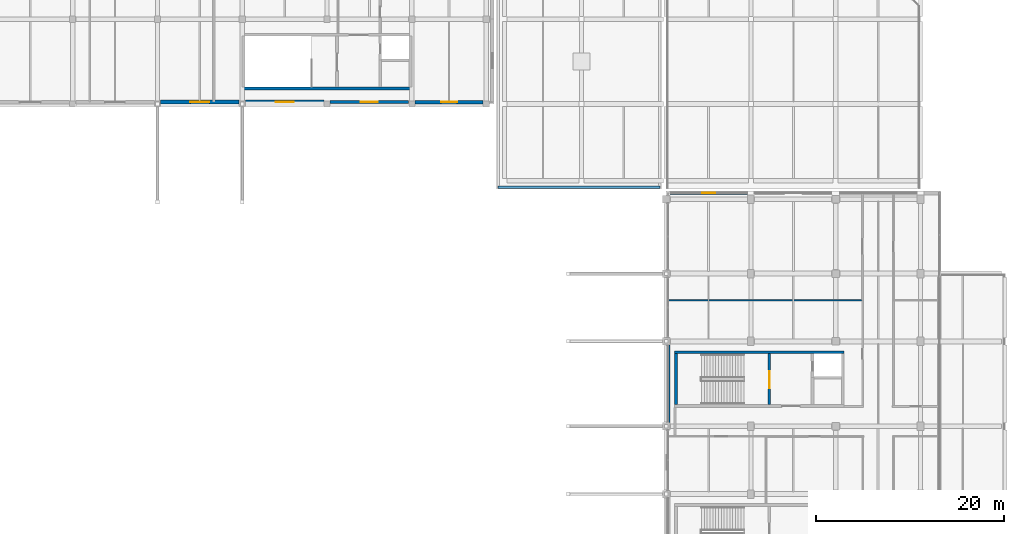
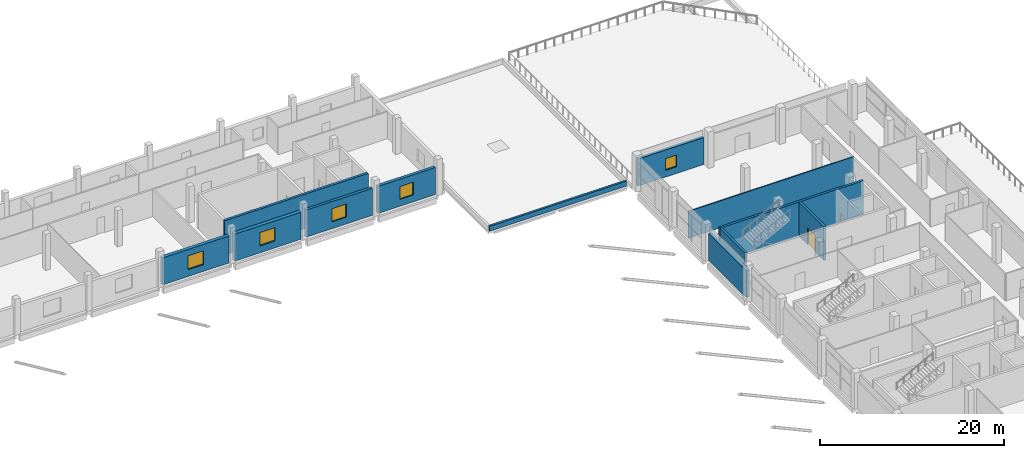
# One storey, part 56 of 82: 12 walls, 5 windows, 1 door, 6 openings.
"""IFC4 building model written with IfcOpenShell, lengths in metres."""

from ifc_helpers import new_model, si_unit, direction, frame, frame_2d, origin, place, context, subcontext, project, spatial, rectangle, extrude, material, layer, layer_set, type_object, element, fill, save


model = new_model("IFC4")

# Units and contexts
model_context = context("Model", 3, precision=1e-05, world=origin(), true_north=direction((0.0, 1.0)))
body_context = subcontext(model_context, "Body", "Model", "MODEL_VIEW")
ifc_project = project(units=[si_unit("LENGTHUNIT", "METRE"), si_unit("AREAUNIT", "SQUARE_METRE"), si_unit("VOLUMEUNIT", "CUBIC_METRE"), si_unit("PLANEANGLEUNIT", "RADIAN"), si_unit("MASSUNIT", "GRAM", prefix="KILO"), si_unit("THERMODYNAMICTEMPERATUREUNIT", "KELVIN"), si_unit("POWERUNIT", "WATT")], contexts=[model_context])

# Site, building, storey
site_placement = place(None, origin())
site = spatial("IfcSite", under=ifc_project, at=site_placement, CompositionType="ELEMENT")
building_placement = place(site_placement, origin())
building = spatial("IfcBuilding", under=site, at=building_placement, Name="Sindhuravela Promenade Stadium", CompositionType="ELEMENT")
storey_placement = place(building_placement, frame((0.0, 0.0, 14.39990234375)))
storey = spatial("IfcBuildingStorey", under=building, at=storey_placement, Name="L03", CompositionType="ELEMENT", Elevation=14.39990234375)

# Wall, opening, window
ifc_material_1 = material(Name="Terracotta clay brick masonry (15 MPa)", Category="masonry")
ifc_layer_1 = layer(ifc_material_1, 0.340087890625)
ifc_layer_set_1 = layer_set([ifc_layer_1], Name="Terracotta clay brick masonry (15 MPa)")
wall_type_1 = type_object("IfcWallType", Name="EX-WL-BRK340", PredefinedType="SOLIDWALL", material=ifc_layer_set_1)
wall_1_placement = place(storey_placement, frame((152.669921875, 135.199951171875, 0.0), z_axis=(0.0, 0.0, 1.0), x_axis=(-1.0, 0.0, 0.0)))
wall_1 = element("IfcWall", 1, at=wall_1_placement, inside=storey, type_object=wall_type_1, Name="Exterior masonry wall EW06 NORTH L03", PredefinedType="SOLIDWALL", context=body_context, shape_type="SweptSolid", body=[
    extrude(rectangle(XDim=8.33984375, YDim=0.340087890625, at=frame_2d((4.169921875, 0.0))), origin(), (0.0, 0.0, 1.0), 3.580078125),
])
opening_1_placement = place(wall_1_placement, frame((3.27001953125, 0.0, 0.89990234375)))
opening_1 = element("IfcOpeningElement", 2, at=opening_1_placement, cuts=wall_1, Name="Opening W08", PredefinedType="OPENING", context=body_context, shape_type="SweptSolid", body=[
    extrude(rectangle(XDim=1.800048828125, YDim=1.75, at=frame_2d((0.89990234375, 0.875))), frame((0.0, 0.179931640625, 0.0), z_axis=(0.0, -1.0, 0.0), x_axis=(1.0, 0.0, 0.0)), (0.0, 0.0, 1.0), 0.360107421875),
])
ifc_material_2 = material(Name="Tempered laminated low-E glass", Category="glass")
window_type_1 = type_object("IfcWindowType", Name="WN-FAC-1800x1750", PartitioningType="DOUBLE_PANEL_VERTICAL", PredefinedType="WINDOW", material=ifc_material_2)
window_1_placement = place(opening_1_placement, origin())
window_1 = element("IfcWindow", 3, at=window_1_placement, inside=storey, type_object=window_type_1, Name="Window W08 NORTH L03", OverallHeight=1.75, OverallWidth=1.800048828125, PartitioningType="DOUBLE_PANEL_VERTICAL", PredefinedType="WINDOW", context=body_context, shape_type="SweptSolid", body=[
    extrude(rectangle(XDim=1.800048828125, YDim=1.75, at=frame_2d((0.89990234375, 0.875))), frame((0.0, 0.030029296875, 0.0), z_axis=(0.0, -1.0, 0.0), x_axis=(1.0, 0.0, 0.0)), (0.0, 0.0, 1.0), 0.06005859375),
])
fill(opening_1, window_1)

ifc_layer_2 = layer(ifc_material_1, 0.360107421875)
ifc_layer_set_2 = layer_set([ifc_layer_2], Name="Terracotta clay brick masonry (15 MPa)")
wall_type_2 = type_object("IfcWallType", Name="EX-WL-BRK360", PredefinedType="SOLIDWALL", material=ifc_layer_set_2)
wall_2_placement = place(storey_placement, frame((180.405029296875, 125.550048828125, 0.0), z_axis=(0.0, 0.0, 1.0), x_axis=(1.0, 0.0, 0.0)))
wall_2 = element("IfcWall", 4, at=wall_2_placement, inside=storey, type_object=wall_type_2, Name="Exterior masonry wall EW05 EAST L03", PredefinedType="SOLIDWALL", context=body_context, shape_type="SweptSolid", body=[
    extrude(rectangle(XDim=8.239990234375, YDim=0.360107421875, at=frame_2d((4.1201171875, 0.0))), origin(), (0.0, 0.0, 1.0), 3.580078125),
])
opening_2_placement = place(wall_2_placement, frame((3.419921875, 0.0, 0.89990234375)))
opening_2 = element("IfcOpeningElement", 5, at=opening_2_placement, cuts=wall_2, Name="Opening W04", PredefinedType="OPENING", context=body_context, shape_type="SweptSolid", body=[
    extrude(rectangle(XDim=1.39990234375, YDim=1.550048828125, at=frame_2d((0.699951171875, 0.77490234375))), frame((0.0, 0.18994140625, 0.0), z_axis=(0.0, -1.0, 0.0), x_axis=(1.0, 0.0, 0.0)), (0.0, 0.0, 1.0), 0.380126953125),
])
window_type_2 = type_object("IfcWindowType", Name="WN-FAC-1400x1550", PartitioningType="SINGLE_PANEL", PredefinedType="WINDOW", material=ifc_material_2)
window_2_placement = place(opening_2_placement, origin())
window_2 = element("IfcWindow", 6, at=window_2_placement, inside=storey, type_object=window_type_2, Name="Window W04 EAST L03", OverallHeight=1.550048828125, OverallWidth=1.39990234375, PartitioningType="SINGLE_PANEL", PredefinedType="WINDOW", context=body_context, shape_type="SweptSolid", body=[
    extrude(rectangle(XDim=1.39990234375, YDim=1.550048828125, at=frame_2d((0.699951171875, 0.77490234375))), frame((0.0, 0.030029296875, 0.0), z_axis=(0.0, -1.0, 0.0), x_axis=(1.0, 0.0, 0.0)), (0.0, 0.0, 1.0), 0.06005859375),
])
fill(opening_2, window_2)

wall_3_placement = place(storey_placement, frame((160.570068359375, 135.199951171875, 0.0), z_axis=(0.0, 0.0, 1.0), x_axis=(-1.0, 0.0, 0.0)))
wall_3 = element("IfcWall", 7, at=wall_3_placement, inside=storey, type_object=wall_type_2, Name="Exterior masonry wall EW05 NORTH L03", PredefinedType="SOLIDWALL", context=body_context, shape_type="SweptSolid", body=[
    extrude(rectangle(XDim=7.239990234375, YDim=0.360107421875, at=frame_2d((3.6201171875, 0.0))), origin(), (0.0, 0.0, 1.0), 3.580078125),
])
opening_3_placement = place(wall_3_placement, frame((2.77001953125, 0.0, 0.89990234375)))
opening_3 = element("IfcOpeningElement", 8, at=opening_3_placement, cuts=wall_3, Name="Opening W07", PredefinedType="OPENING", context=body_context, shape_type="SweptSolid", body=[
    extrude(rectangle(XDim=1.699951171875, YDim=1.699951171875, at=frame_2d((0.85009765625, 0.85009765625))), frame((0.0, 0.18994140625, 0.0), z_axis=(0.0, -1.0, 0.0), x_axis=(1.0, 0.0, 0.0)), (0.0, 0.0, 1.0), 0.380126953125),
])
window_type_3 = type_object("IfcWindowType", Name="WN-FAC-1700x1700", PartitioningType="SINGLE_PANEL", PredefinedType="WINDOW", material=ifc_material_2)
window_3_placement = place(opening_3_placement, origin())
window_3 = element("IfcWindow", 9, at=window_3_placement, inside=storey, type_object=window_type_3, Name="Window W07 NORTH L03", OverallHeight=1.699951171875, OverallWidth=1.699951171875, PartitioningType="SINGLE_PANEL", PredefinedType="WINDOW", context=body_context, shape_type="SweptSolid", body=[
    extrude(rectangle(XDim=1.699951171875, YDim=1.699951171875, at=frame_2d((0.85009765625, 0.85009765625))), frame((0.0, 0.030029296875, 0.0), z_axis=(0.0, -1.0, 0.0), x_axis=(1.0, 0.0, 0.0)), (0.0, 0.0, 1.0), 0.06005859375),
])
fill(opening_3, window_3)

# Wall
ifc_layer_3 = layer(ifc_material_1, 0.3798828125)
ifc_layer_set_3 = layer_set([ifc_layer_3], Name="Terracotta clay brick masonry (15 MPa)")
wall_type_3 = type_object("IfcWallType", Name="EX-WL-BRK380", PredefinedType="SOLIDWALL", material=ifc_layer_set_3)
wall_4_placement = place(storey_placement, frame((180.199951171875, 101.205078125, 0.0), z_axis=(0.0, 0.0, 1.0), x_axis=(0.0, 1.0, 0.0)))
element("IfcWall", 10, at=wall_4_placement, inside=storey, type_object=wall_type_3, Name="Exterior masonry wall EW04 EAST L03", PredefinedType="SOLIDWALL", context=body_context, shape_type="SweptSolid", body=[
    extrude(rectangle(XDim=8.18994140625, YDim=0.3798828125, at=frame_2d((4.094970703125, 0.0))), origin(), (0.0, 0.0, 1.0), 3.580078125),
])

# Wall, opening, window
ifc_layer_4 = layer(ifc_material_1, 0.419921875)
ifc_layer_set_4 = layer_set([ifc_layer_4], Name="Terracotta clay brick masonry (15 MPa)")
wall_type_4 = type_object("IfcWallType", Name="EX-WL-BRK420", PredefinedType="SOLIDWALL", material=ifc_layer_set_4)
wall_5_placement = place(storey_placement, frame((134.669921875, 135.199951171875, 0.0), z_axis=(0.0, 0.0, 1.0), x_axis=(-1.0, 0.0, 0.0)))
wall_5 = element("IfcWall", 11, at=wall_5_placement, inside=storey, type_object=wall_type_4, Name="Exterior masonry wall EW02 NORTH L03", PredefinedType="SOLIDWALL", context=body_context, shape_type="SweptSolid", body=[
    extrude(rectangle(XDim=8.33984375, YDim=0.419921875, at=frame_2d((4.169921875, 0.0))), origin(), (0.0, 0.0, 1.0), 3.580078125),
])
opening_4_placement = place(wall_5_placement, frame((3.169921875, 0.0, 0.89990234375)))
opening_4 = element("IfcOpeningElement", 12, at=opening_4_placement, cuts=wall_5, Name="Opening W10", PredefinedType="OPENING", context=body_context, shape_type="SweptSolid", body=[
    extrude(rectangle(XDim=2.0, YDim=1.85009765625, at=frame_2d((1.0, 0.925048828125))), frame((0.0, 0.219970703125, 0.0), z_axis=(0.0, -1.0, 0.0), x_axis=(1.0, 0.0, 0.0)), (0.0, 0.0, 1.0), 0.43994140625),
])
window_type_4 = type_object("IfcWindowType", Name="WN-FAC-2000x1850", PartitioningType="DOUBLE_PANEL_VERTICAL", PredefinedType="WINDOW", material=ifc_material_2)
window_4_placement = place(opening_4_placement, origin())
window_4 = element("IfcWindow", 13, at=window_4_placement, inside=storey, type_object=window_type_4, Name="Window W10 NORTH L03", OverallHeight=1.85009765625, OverallWidth=2.0, PartitioningType="DOUBLE_PANEL_VERTICAL", PredefinedType="WINDOW", context=body_context, shape_type="SweptSolid", body=[
    extrude(rectangle(XDim=2.0, YDim=1.85009765625, at=frame_2d((1.0, 0.925048828125))), frame((0.0, 0.030029296875, 0.0), z_axis=(0.0, -1.0, 0.0), x_axis=(1.0, 0.0, 0.0)), (0.0, 0.0, 1.0), 0.06005859375),
])
fill(opening_4, window_4)

ifc_layer_5 = layer(ifc_material_1, 0.4599609375)
ifc_layer_set_5 = layer_set([ifc_layer_5], Name="Terracotta clay brick masonry (15 MPa)")
wall_type_5 = type_object("IfcWallType", Name="EX-WL-BRK460", PredefinedType="SOLIDWALL", material=ifc_layer_set_5)
wall_6_placement = place(storey_placement, frame((143.669921875, 135.199951171875, 0.0), z_axis=(0.0, 0.0, 1.0), x_axis=(-1.0, 0.0, 0.0)))
wall_6 = element("IfcWall", 14, at=wall_6_placement, inside=storey, type_object=wall_type_5, Name="Exterior masonry wall EW01 NORTH L03", PredefinedType="SOLIDWALL", context=body_context, shape_type="SweptSolid", body=[
    extrude(rectangle(XDim=8.33984375, YDim=0.4599609375, at=frame_2d((4.169921875, 0.0))), origin(), (0.0, 0.0, 1.0), 3.580078125),
])
opening_5_placement = place(wall_6_placement, frame((3.219970703125, 0.0, 0.89990234375)))
opening_5 = element("IfcOpeningElement", 15, at=opening_5_placement, cuts=wall_6, Name="Opening W09", PredefinedType="OPENING", context=body_context, shape_type="SweptSolid", body=[
    extrude(rectangle(XDim=1.89990234375, YDim=1.800048828125, at=frame_2d((0.949951171875, 0.89990234375))), frame((0.0, 0.239990234375, 0.0), z_axis=(0.0, -1.0, 0.0), x_axis=(1.0, 0.0, 0.0)), (0.0, 0.0, 1.0), 0.47998046875),
])
window_type_5 = type_object("IfcWindowType", Name="WN-FAC-1900x1800", PartitioningType="DOUBLE_PANEL_VERTICAL", PredefinedType="WINDOW", material=ifc_material_2)
window_5_placement = place(opening_5_placement, origin())
window_5 = element("IfcWindow", 16, at=window_5_placement, inside=storey, type_object=window_type_5, Name="Window W09 NORTH L03", OverallHeight=1.800048828125, OverallWidth=1.89990234375, PartitioningType="DOUBLE_PANEL_VERTICAL", PredefinedType="WINDOW", context=body_context, shape_type="SweptSolid", body=[
    extrude(rectangle(XDim=1.89990234375, YDim=1.800048828125, at=frame_2d((0.949951171875, 0.89990234375))), frame((0.0, 0.030029296875, 0.0), z_axis=(0.0, -1.0, 0.0), x_axis=(1.0, 0.0, 0.0)), (0.0, 0.0, 1.0), 0.06005859375),
])
fill(opening_5, window_5)

# Walls
ifc_material_3 = material(Name="Dholpur sandstone ashlar (45 MPa)", Category="masonry")
ifc_layer_6 = layer(ifc_material_3, 0.25)
ifc_layer_set_6 = layer_set([ifc_layer_6], Name="Dholpur sandstone ashlar (45 MPa)")
wall_type_6 = type_object("IfcWallType", Name="EX-WL-PAR250", PredefinedType="PARAPET", material=ifc_layer_set_6)
wall_7_placement = place(storey_placement, frame((179.340087890625, 126.159912109375, 0.0), z_axis=(0.0, 0.0, 1.0), x_axis=(-1.0, 0.0, 0.0)))
element("IfcWall", 17, at=wall_7_placement, inside=storey, type_object=wall_type_6, Name="Maintenance roof parapet Pavilion NE 31", PredefinedType="PARAPET", context=body_context, shape_type="SweptSolid", body=[
    extrude(rectangle(XDim=17.18017578125, YDim=0.25, at=frame_2d((8.590087890625, 0.0))), origin(), (0.0, 0.0, 1.0), 0.650146484375),
])
ifc_material_4 = material(Name="Fire-rated gypsum partition board", Category="gypsum")
ifc_layer_7 = layer(ifc_material_4, 0.1298828125)
ifc_layer_set_7 = layer_set([ifc_layer_7], Name="Fire-rated gypsum partition board")
wall_type_7 = type_object("IfcWallType", Name="IN-WL-PAR130", PredefinedType="PARTITIONING", material=ifc_layer_set_7)
wall_8_placement = place(storey_placement, frame((200.93994140625, 114.159912109375, 0.0), z_axis=(0.0, 0.0, 1.0), x_axis=(-1.0, 0.0, 0.0)))
element("IfcWall", 18, at=wall_8_placement, inside=storey, type_object=wall_type_7, Name="Interior partition IW05 EAST L03", PredefinedType="PARTITIONING", context=body_context, shape_type="SweptSolid", body=[
    extrude(rectangle(XDim=20.70703125, YDim=0.1298828125, at=frame_2d((10.353515625, 0.0))), origin(), (0.0, 0.0, 1.0), 3.56005859375),
])
ifc_material_5 = material(Name="Concrete M50", Category="concrete")
ifc_layer_8 = layer(ifc_material_5, 0.300048828125)
ifc_layer_set_8 = layer_set([ifc_layer_8], Name="Concrete M50")
wall_type_8 = type_object("IfcWallType", Name="RC-SW-300", PredefinedType="SHEAR", material=ifc_layer_set_8)
wall_9_placement = place(storey_placement, frame((198.89990234375, 108.64990234375, 0.0), z_axis=(0.0, 0.0, 1.0), x_axis=(-1.0, 0.0, 0.0)))
element("IfcWall", 19, at=wall_9_placement, inside=storey, type_object=wall_type_8, Name="Core shear wall C08-N (L03)", PredefinedType="SHEAR", context=body_context, shape_type="SweptSolid", body=[
    extrude(rectangle(XDim=18.0, YDim=0.300048828125, at=frame_2d((9.0, 0.0))), origin(), (0.0, 0.0, 1.0), 4.47998046875),
])
wall_10_placement = place(storey_placement, frame((181.050048828125, 108.5, 0.0), z_axis=(0.0, 0.0, 1.0), x_axis=(0.0, -1.0, 0.0)))
element("IfcWall", 20, at=wall_10_placement, inside=storey, type_object=wall_type_8, Name="Core shear wall C08-W (L03)", PredefinedType="SHEAR", context=body_context, shape_type="SweptSolid", body=[
    extrude(rectangle(XDim=5.39990234375, YDim=0.300048828125, at=frame_2d((2.699951171875, 0.0))), origin(), (0.0, 0.0, 1.0), 4.47998046875),
])

# Wall, opening, door
wall_11_placement = place(storey_placement, frame((190.949951171875, 103.10009765625, 0.0), z_axis=(0.0, 0.0, 1.0), x_axis=(0.0, 1.0, 0.0)))
wall_11 = element("IfcWall", 21, at=wall_11_placement, inside=storey, type_object=wall_type_8, Name="Core shear wall C08-ST (L03)", PredefinedType="SHEAR", context=body_context, shape_type="SweptSolid", body=[
    extrude(rectangle(XDim=5.39990234375, YDim=0.300048828125, at=frame_2d((2.699951171875, 0.0))), origin(), (0.0, 0.0, 1.0), 4.47998046875),
])
opening_6_placement = place(wall_11_placement, frame((1.75, 0.0, 0.0)))
opening_6 = element("IfcOpeningElement", 22, at=opening_6_placement, cuts=wall_11, Name="Opening FD01", PredefinedType="OPENING", context=body_context, shape_type="SweptSolid", body=[
    extrude(rectangle(XDim=1.800048828125, YDim=2.25, at=frame_2d((0.89990234375, 1.125))), frame((0.0, 0.159912109375, 0.0), z_axis=(0.0, -1.0, 0.0), x_axis=(1.0, 0.0, 0.0)), (0.0, 0.0, 1.0), 0.320068359375),
])
ifc_material_6 = material(Name="Architectural wrought steel E350", Category="steel")
door_type = type_object("IfcDoorType", Name="DR-CORE-1800x2250", OperationType="DOUBLE_DOOR_SINGLE_SWING", PredefinedType="DOOR", material=ifc_material_6)
door_placement = place(opening_6_placement, origin())
door = element("IfcDoor", 23, at=door_placement, inside=storey, type_object=door_type, Name="Stair ST08 lobby fire door (L03)", OperationType="DOUBLE_DOOR_SINGLE_SWING", OverallHeight=2.25, OverallWidth=1.800048828125, PredefinedType="DOOR", context=body_context, shape_type="SweptSolid", body=[
    extrude(rectangle(XDim=1.800048828125, YDim=2.25, at=frame_2d((0.89990234375, 1.125))), frame((0.0, 0.02490234375, 0.0), z_axis=(0.0, -1.0, 0.0), x_axis=(1.0, 0.0, 0.0)), (0.0, 0.0, 1.0), 0.050048828125),
])
fill(opening_6, door)

# Wall
wall_12_placement = place(storey_placement, frame((135.0, 136.64990234375, 0.0), z_axis=(0.0, 0.0, 1.0), x_axis=(1.0, 0.0, 0.0)))
element("IfcWall", 24, at=wall_12_placement, inside=storey, type_object=wall_type_8, Name="Core shear wall C10-S (L03)", PredefinedType="SHEAR", context=body_context, shape_type="SweptSolid", body=[
    extrude(rectangle(XDim=18.0, YDim=0.300048828125, at=frame_2d((9.0, 0.0))), origin(), (0.0, 0.0, 1.0), 4.55517578125),
])

save(model, "model.ifc")
